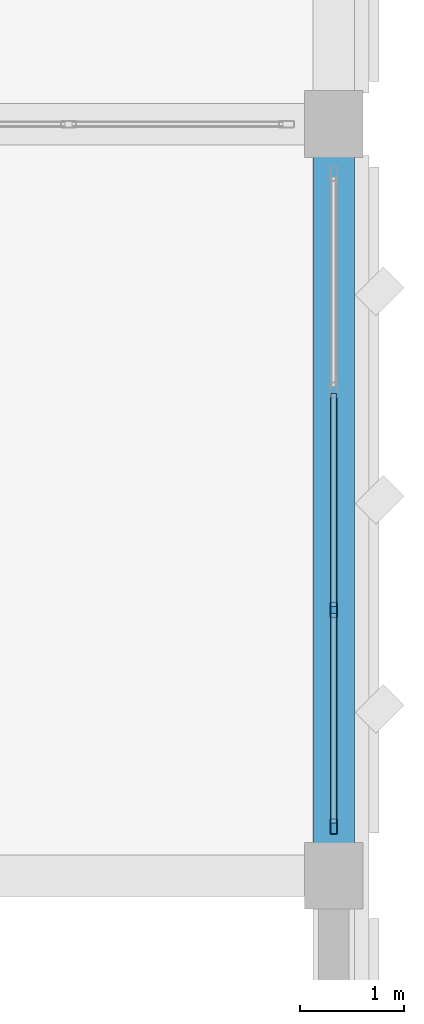
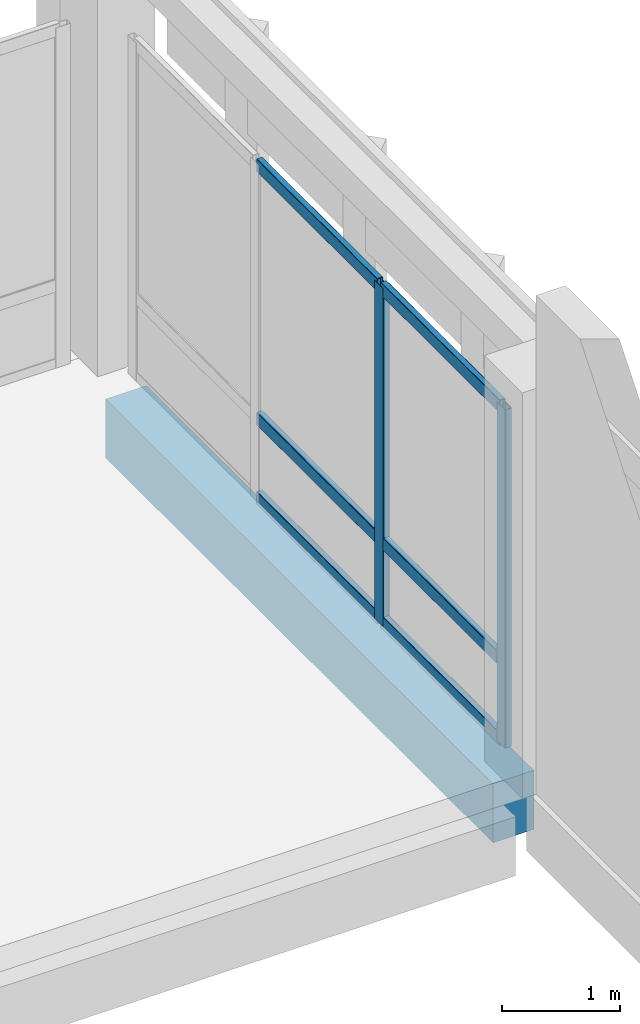
# One storey, part 104 of 158: 8 members, 1 beam, 1 element without a shape of its own.
"""IFC4 building model written with IfcOpenShell, lengths in metres."""

from ifc_helpers import new_model, si_unit, direction, frame, origin, origin_2d, place, context, subcontext, project, spatial, rectangle, hollow_rectangle, extrude, material, material_profile, profile_set, type_object, element, aggregate, save


model = new_model("IFC4")

# Units and contexts
model_context = context("Model", 3, precision=1e-05, world=origin(), true_north=direction((0.0, 1.0)))
body_context = subcontext(model_context, "Body", "Model", "MODEL_VIEW")
ifc_project = project(units=[si_unit("LENGTHUNIT", "METRE"), si_unit("AREAUNIT", "SQUARE_METRE"), si_unit("VOLUMEUNIT", "CUBIC_METRE"), si_unit("PLANEANGLEUNIT", "RADIAN"), si_unit("MASSUNIT", "GRAM", prefix="KILO")], contexts=[model_context])

# Site, building, storey
site_placement = place(None, origin())
site = spatial("IfcSite", under=ifc_project, at=site_placement, CompositionType="ELEMENT")
building_placement = place(site_placement, origin())
building = spatial("IfcBuilding", under=site, at=building_placement, Name="Lusvemor Sports Hall", CompositionType="ELEMENT")
storey_placement = place(building_placement, frame((0.0, 0.0, 10.800048828125)))
storey = spatial("IfcBuildingStorey", under=building, at=storey_placement, Name="L02", CompositionType="ELEMENT", Elevation=10.800048828125)

# Curtain wall, members
ifc_material_1 = material(Name="Thermally broken bronze-anodized aluminium", Category="aluminium")
curtain_wall_type = type_object("IfcCurtainWallType", Name="CW_PASSAGE_E", PredefinedType="NOTDEFINED", material=ifc_material_1)
curtain_wall_placement = place(storey_placement, origin())
curtain_wall = element("IfcCurtainWall", 1, at=curtain_wall_placement, inside=storey, type_object=curtain_wall_type, Name="Curtain Wall CW-NLINK-169-L02", PredefinedType="NOTDEFINED")
ifc_material_2 = material(Name="Thermally broken bronze-anodized aluminium", Category="aluminium")
ifc_material_profile_1 = material_profile(ifc_material_2, hollow_rectangle(XDim=0.06494140625, YDim=0.14990234375, WallThickness=0.00390625, InnerFilletRadius=0.00390625, OuterFilletRadius=0.008056640625, at=origin_2d()), Name="CWMUL150x65x4")
ifc_profile_set_1 = profile_set([ifc_material_profile_1], Name="Thermally broken bronze-anodized aluminium")
member_type_1 = type_object("IfcMemberType", Name="CW_MUL_B", PredefinedType="MULLION", material=ifc_profile_set_1)
member_1_placement = place(storey_placement, frame((169.199951171875, 76.072509765625, 0.0), z_axis=(0.0, 0.0, 1.0), x_axis=(-1.0, 0.0, 0.0)))
member_1 = element("IfcMember", 2, at=member_1_placement, type_object=member_type_1, Name="CW05 mullion 1", PredefinedType="MULLION", context=body_context, shape_type="SweptSolid", body=[
    extrude(hollow_rectangle(XDim=0.06494140625, YDim=0.14990234375, WallThickness=0.00390625, InnerFilletRadius=0.00390625, OuterFilletRadius=0.008056640625, at=origin_2d()), origin(), (0.0, 0.0, 1.0), 3.5),
])
member_2_placement = place(storey_placement, frame((169.199951171875, 78.146728515625, 0.0), z_axis=(0.0, 0.0, 1.0), x_axis=(-1.0, 0.0, 0.0)))
member_2 = element("IfcMember", 3, at=member_2_placement, type_object=member_type_1, Name="CW05 mullion 2", PredefinedType="MULLION", context=body_context, shape_type="SweptSolid", body=[
    extrude(hollow_rectangle(XDim=0.06494140625, YDim=0.14990234375, WallThickness=0.00390625, InnerFilletRadius=0.00390625, OuterFilletRadius=0.008056640625, at=origin_2d()), origin(), (0.0, 0.0, 1.0), 3.5),
])
ifc_material_3 = material(Name="Thermally broken bronze-anodized aluminium", Category="aluminium")
ifc_material_profile_2 = material_profile(ifc_material_3, hollow_rectangle(XDim=0.06005859375, YDim=0.135009765625, WallThickness=0.00390625, InnerFilletRadius=0.00390625, OuterFilletRadius=0.008056640625, at=origin_2d()), Name="CWTRN135x60x4")
ifc_profile_set_2 = profile_set([ifc_material_profile_2], Name="Thermally broken bronze-anodized aluminium")
member_type_2 = type_object("IfcMemberType", Name="CW_TRN_B", PredefinedType="USERDEFINED", material=ifc_profile_set_2)
member_3_placement = place(storey_placement, frame((169.199951171875, 76.10498046875, 0.030029296875), z_axis=(0.0, 1.0, 0.0), x_axis=(-1.0, 0.0, 0.0)))
member_3 = element("IfcMember", 4, at=member_3_placement, type_object=member_type_2, Name="CW05 transom 1.1", ObjectType="TRANSOM", PredefinedType="USERDEFINED", context=body_context, shape_type="SweptSolid", body=[
    extrude(hollow_rectangle(XDim=0.06005859375, YDim=0.135009765625, WallThickness=0.00390625, InnerFilletRadius=0.00390625, OuterFilletRadius=0.008056640625, at=origin_2d()), origin(), (0.0, 0.0, 1.0), 2.00927734375),
])
member_4_placement = place(storey_placement, frame((169.199951171875, 76.10498046875, 0.849853515625), z_axis=(0.0, 1.0, 0.0), x_axis=(-1.0, 0.0, 0.0)))
member_4 = element("IfcMember", 5, at=member_4_placement, type_object=member_type_2, Name="CW05 transom 1.2", ObjectType="TRANSOM", PredefinedType="USERDEFINED", context=body_context, shape_type="SweptSolid", body=[
    extrude(hollow_rectangle(XDim=0.06005859375, YDim=0.135009765625, WallThickness=0.00390625, InnerFilletRadius=0.00390625, OuterFilletRadius=0.008056640625, at=origin_2d()), origin(), (0.0, 0.0, 1.0), 2.00927734375),
])
member_5_placement = place(storey_placement, frame((169.199951171875, 76.10498046875, 3.469970703125), z_axis=(0.0, 1.0, 0.0), x_axis=(-1.0, 0.0, 0.0)))
member_5 = element("IfcMember", 6, at=member_5_placement, type_object=member_type_2, Name="CW05 transom 1.3", ObjectType="TRANSOM", PredefinedType="USERDEFINED", context=body_context, shape_type="SweptSolid", body=[
    extrude(hollow_rectangle(XDim=0.06005859375, YDim=0.135009765625, WallThickness=0.00390625, InnerFilletRadius=0.00390625, OuterFilletRadius=0.008056640625, at=origin_2d()), origin(), (0.0, 0.0, 1.0), 2.00927734375),
])
member_6_placement = place(storey_placement, frame((169.199951171875, 78.17919921875, 0.030029296875), z_axis=(0.0, 1.0, 0.0), x_axis=(-1.0, 0.0, 0.0)))
member_6 = element("IfcMember", 7, at=member_6_placement, type_object=member_type_2, Name="CW05 transom 2.1", ObjectType="TRANSOM", PredefinedType="USERDEFINED", context=body_context, shape_type="SweptSolid", body=[
    extrude(hollow_rectangle(XDim=0.06005859375, YDim=0.135009765625, WallThickness=0.00390625, InnerFilletRadius=0.00390625, OuterFilletRadius=0.008056640625, at=origin_2d()), origin(), (0.0, 0.0, 1.0), 2.041748046875),
])
member_7_placement = place(storey_placement, frame((169.199951171875, 78.17919921875, 0.849853515625), z_axis=(0.0, 1.0, 0.0), x_axis=(-1.0, 0.0, 0.0)))
member_7 = element("IfcMember", 8, at=member_7_placement, type_object=member_type_2, Name="CW05 transom 2.2", ObjectType="TRANSOM", PredefinedType="USERDEFINED", context=body_context, shape_type="SweptSolid", body=[
    extrude(hollow_rectangle(XDim=0.06005859375, YDim=0.135009765625, WallThickness=0.00390625, InnerFilletRadius=0.00390625, OuterFilletRadius=0.008056640625, at=origin_2d()), origin(), (0.0, 0.0, 1.0), 2.041748046875),
])
member_8_placement = place(storey_placement, frame((169.199951171875, 78.17919921875, 3.469970703125), z_axis=(0.0, 1.0, 0.0), x_axis=(-1.0, 0.0, 0.0)))
member_8 = element("IfcMember", 9, at=member_8_placement, type_object=member_type_2, Name="CW05 transom 2.3", ObjectType="TRANSOM", PredefinedType="USERDEFINED", context=body_context, shape_type="SweptSolid", body=[
    extrude(hollow_rectangle(XDim=0.06005859375, YDim=0.135009765625, WallThickness=0.00390625, InnerFilletRadius=0.00390625, OuterFilletRadius=0.008056640625, at=origin_2d()), origin(), (0.0, 0.0, 1.0), 2.041748046875),
])
aggregate(curtain_wall, [member_1, member_2, member_3, member_4, member_5, member_6, member_7, member_8])

# Beam
ifc_material_4 = material(Name="Concrete C40/50", Category="concrete")
ifc_material_profile_3 = material_profile(ifc_material_4, rectangle(XDim=0.39990234375, YDim=0.610107421875, at=origin_2d()), Name="RC400x610")
ifc_profile_set_3 = profile_set([ifc_material_profile_3], Name="Concrete C40/50")
beam_type = type_object("IfcBeamType", Name="SPAND_EXT_650", PredefinedType="SPANDREL", material=ifc_profile_set_3)
beam_placement = place(storey_placement, frame((169.199951171875, 75.916015625, -0.56494140625), z_axis=(0.0, 1.0, 0.0), x_axis=(-1.0, 0.0, 0.0)))
element("IfcBeam", 10, at=beam_placement, inside=storey, type_object=beam_type, Name="Beam L02 20:K-L", PredefinedType="SPANDREL", context=body_context, shape_type="SweptSolid", body=[
    extrude(rectangle(XDim=0.39990234375, YDim=0.610107421875, at=origin_2d()), origin(), (0.0, 0.0, 1.0), 6.56787109375),
])

save(model, "model.ifc")
